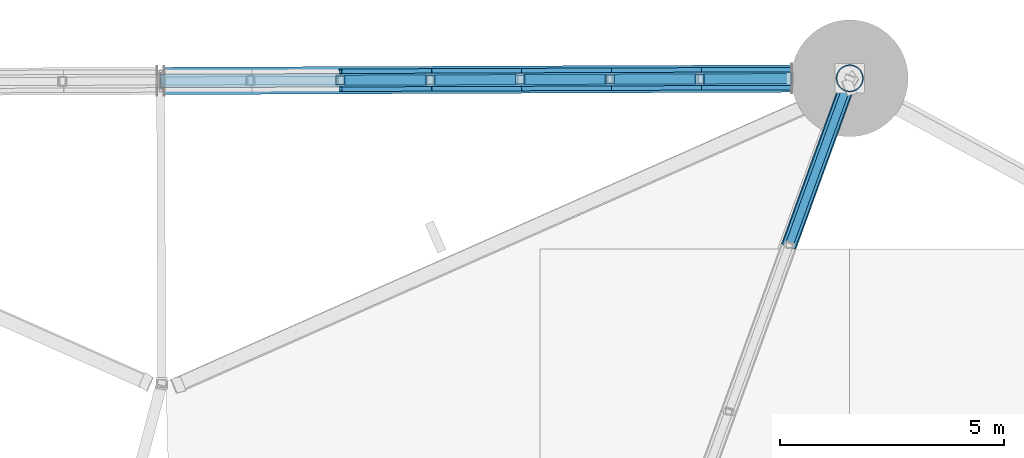
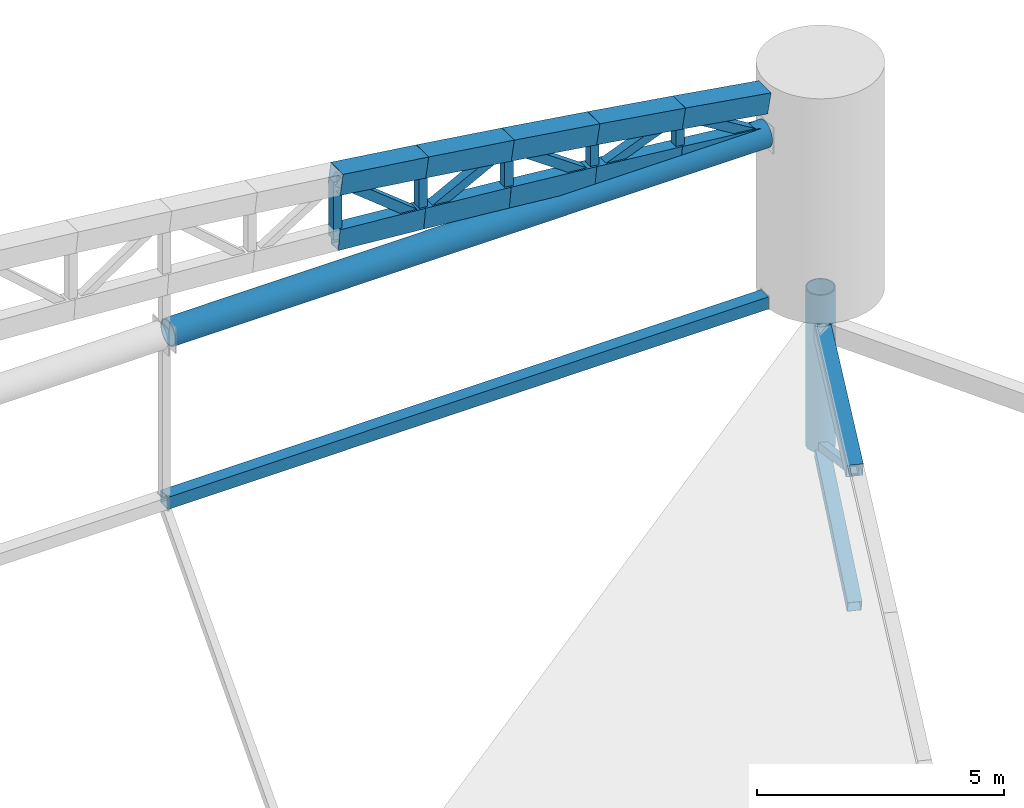
# One storey, part 110 of 188: 26 members.
"""IFC4 building model written with IfcOpenShell, lengths in metres."""

from ifc_helpers import new_model, si_unit, direction, frame, origin, origin_2d, place, context, subcontext, project, spatial, hollow_rectangle, hollow_circle, extrude, material, material_profile, profile_set, type_object, element, save


model = new_model("IFC4")

# Units and contexts
model_context = context("Model", 3, precision=1e-05, world=origin(), true_north=direction((0.0, 1.0)))
body_context = subcontext(model_context, "Body", "Model", "MODEL_VIEW")
ifc_project = project(units=[si_unit("LENGTHUNIT", "METRE"), si_unit("AREAUNIT", "SQUARE_METRE"), si_unit("VOLUMEUNIT", "CUBIC_METRE"), si_unit("PLANEANGLEUNIT", "RADIAN"), si_unit("MASSUNIT", "GRAM", prefix="KILO")], contexts=[model_context])

# Site, building, storey
site_placement = place(None, origin())
site = spatial("IfcSite", under=ifc_project, at=site_placement, CompositionType="ELEMENT")
building_placement = place(site_placement, origin())
building = spatial("IfcBuilding", under=site, at=building_placement, Name="Meseta Stadium", CompositionType="ELEMENT")
storey_placement = place(building_placement, frame((0.0, 0.0, 30.0)))
storey = spatial("IfcBuildingStorey", under=building, at=storey_placement, Name="ROOF", CompositionType="ELEMENT", Elevation=30.0)

# Members
ifc_material_1 = material(Name="Steel S355", Category="steel")
ifc_material_profile_1 = material_profile(ifc_material_1, hollow_circle(Radius=0.304931640625, WallThickness=0.02490234375, at=origin_2d()), Name="CHS 610x25")
ifc_profile_set_1 = profile_set([ifc_material_profile_1], Name="Steel S355")
member_type_1 = type_object("IfcMemberType", Name="CHS 610x25 arch tie", PredefinedType="STRUT", material=ifc_profile_set_1)
member_1_placement = place(storey_placement, frame((37.033447265625, 105.39501953125, 15.550048828125), z_axis=(-0.999992608544, -0.003844848283, 0.0), x_axis=(0.003844848283, -0.999992608544, 0.0)))
element("IfcMember", 1, at=member_1_placement, inside=storey, type_object=member_type_1, Name="GABLE ARCH GA-N tie 01", PredefinedType="STRUT", context=body_context, shape_type="SweptSolid", body=[
    extrude(hollow_circle(Radius=0.304931640625, WallThickness=0.02490234375, at=origin_2d()), origin(), (0.0, 0.0, 1.0), 13.969482421875),
])
ifc_material_2 = material(Name="Steel S355", Category="steel")
ifc_material_profile_2 = material_profile(ifc_material_2, hollow_circle(Radius=0.304931640625, WallThickness=0.02490234375, at=origin_2d()), Name="CHS 610x25")
ifc_profile_set_2 = profile_set([ifc_material_profile_2], Name="Steel S355")
member_type_2 = type_object("IfcMemberType", Name="CHS 610x25 pylon post", PredefinedType="POST", material=ifc_profile_set_2)
member_2_placement = place(storey_placement, frame((38.333251953125, 105.39990234375, 7.412841796875), z_axis=(0.0, 0.0, 1.0), x_axis=(1.0, 0.0, 0.0)))
element("IfcMember", 2, at=member_2_placement, inside=storey, type_object=member_type_2, Name="GABLE ARCH GA-N pylon post", PredefinedType="POST", context=body_context, shape_type="SweptSolid", body=[
    extrude(hollow_circle(Radius=0.304931640625, WallThickness=0.02490234375, at=origin_2d()), origin(), (0.0, 0.0, 1.0), 3.88720703125),
])
ifc_material_3 = material(Name="Steel S355", Category="steel")
ifc_material_profile_3 = material_profile(ifc_material_3, hollow_rectangle(XDim=0.300048828125, YDim=0.5, WallThickness=0.01611328125, at=origin_2d()), Name="RHS 500x300x16")
ifc_profile_set_3 = profile_set([ifc_material_profile_3], Name="Steel S355")
member_type_3 = type_object("IfcMemberType", Name="RHS 500x300x16 arch bottom chord", PredefinedType="CHORD", material=ifc_profile_set_3)
member_3_placement = place(storey_placement, frame((36.993408203125, 105.394775390625, 15.550048828125), z_axis=(-0.993884110505, -0.003755534791, 0.110364264343), x_axis=(0.003778617588, -0.999992860999, 0.0)))
element("IfcMember", 3, at=member_3_placement, inside=storey, type_object=member_type_3, Name="GABLE ARCH GA-N bottom chord", PredefinedType="CHORD", context=body_context, shape_type="SweptSolid", body=[
    extrude(hollow_rectangle(XDim=0.300048828125, YDim=0.5, WallThickness=0.01611328125, at=origin_2d()), origin(), (0.0, 0.0, 1.0), 2.01513671875),
])
member_4_placement = place(storey_placement, frame((34.990478515625, 105.38720703125, 15.7724609375), z_axis=(-0.994541727044, -0.003879719038, 0.104267449135), x_axis=(0.003900982143, -0.99999239114, 0.0)))
element("IfcMember", 4, at=member_4_placement, inside=storey, type_object=member_type_3, Name="GABLE ARCH GA-N bottom chord", PredefinedType="CHORD", context=body_context, shape_type="SweptSolid", body=[
    extrude(hollow_rectangle(XDim=0.300048828125, YDim=0.5, WallThickness=0.01611328125, at=origin_2d()), origin(), (0.0, 0.0, 1.0), 2.013671875),
])
member_5_placement = place(storey_placement, frame((32.98779296875, 105.37939453125, 15.982421875), z_axis=(-0.995153102429, -0.00376078827, 0.098265758011), x_axis=(0.00377907822, -0.999992859258, 0.0)))
element("IfcMember", 5, at=member_5_placement, inside=storey, type_object=member_type_3, Name="GABLE ARCH GA-N bottom chord", PredefinedType="CHORD", context=body_context, shape_type="SweptSolid", body=[
    extrude(hollow_rectangle(XDim=0.300048828125, YDim=0.5, WallThickness=0.01611328125, at=origin_2d()), origin(), (0.0, 0.0, 1.0), 2.012451171875),
])
member_6_placement = place(storey_placement, frame((30.985107421875, 105.371826171875, 16.18017578125), z_axis=(-0.995728001319, -0.003884346708, 0.092253234305), x_axis=(0.003900982143, -0.99999239114, 0.0)))
element("IfcMember", 6, at=member_6_placement, inside=storey, type_object=member_type_3, Name="GABLE ARCH GA-N bottom chord", PredefinedType="CHORD", context=body_context, shape_type="SweptSolid", body=[
    extrude(hollow_rectangle(XDim=0.300048828125, YDim=0.5, WallThickness=0.01611328125, at=origin_2d()), origin(), (0.0, 0.0, 1.0), 2.01123046875),
])
member_7_placement = place(storey_placement, frame((28.982421875, 105.364013671875, 16.36572265625), z_axis=(-0.996258086361, -0.003885940854, 0.086340748343), x_axis=(0.003900506652, -0.999992392995, 0.0)))
element("IfcMember", 7, at=member_7_placement, inside=storey, type_object=member_type_3, Name="GABLE ARCH GA-N bottom chord", PredefinedType="CHORD", context=body_context, shape_type="SweptSolid", body=[
    extrude(hollow_rectangle(XDim=0.300048828125, YDim=0.5, WallThickness=0.01611328125, at=origin_2d()), origin(), (0.0, 0.0, 1.0), 2.010498046875),
])
ifc_material_4 = material(Name="Steel S355", Category="steel")
ifc_material_profile_4 = material_profile(ifc_material_4, hollow_rectangle(XDim=0.179931640625, YDim=0.179931640625, WallThickness=0.00634765625, at=origin_2d()), Name="SHS 180x180x6.3")
ifc_profile_set_4 = profile_set([ifc_material_profile_4], Name="Steel S355")
member_type_4 = type_object("IfcMemberType", Name="SHS 180x180x6.3 diagonal", PredefinedType="BRACE", material=ifc_profile_set_4)
member_8_placement = place(storey_placement, frame((36.986083984375, 101.687744140625, 9.484375), z_axis=(0.302096379546, 0.832434840704, -0.464532037052), x_axis=(-0.940013443369, 0.341137400889, 0.0)))
element("IfcMember", 8, at=member_8_placement, inside=storey, type_object=member_type_4, Name="ROOF TRUSS RT-16 diagonal", PredefinedType="BRACE", context=body_context, shape_type="SweptSolid", body=[
    extrude(hollow_rectangle(XDim=0.179931640625, YDim=0.179931640625, WallThickness=0.00634765625, at=origin_2d()), origin(), (0.0, 0.0, 1.0), 4.45947265625),
])
ifc_material_5 = material(Name="Steel S355", Category="steel")
ifc_material_profile_5 = material_profile(ifc_material_5, hollow_rectangle(XDim=0.199951171875, YDim=0.199951171875, WallThickness=0.008056640625, at=origin_2d()), Name="SHS 200x200x8")
ifc_profile_set_5 = profile_set([ifc_material_profile_5], Name="Steel S355")
member_type_5 = type_object("IfcMemberType", Name="SHS 200x200x8 arch vertical", PredefinedType="POST", material=ifc_profile_set_5)
member_9_placement = place(storey_placement, frame((34.990478515625, 105.38720703125, 15.7724609375), z_axis=(0.0, 0.0, 1.0), x_axis=(1.0, 0.0, 0.0)))
element("IfcMember", 9, at=member_9_placement, inside=storey, type_object=member_type_5, Name="GABLE ARCH GA-N vertical", PredefinedType="POST", context=body_context, shape_type="SweptSolid", body=[
    extrude(hollow_rectangle(XDim=0.199951171875, YDim=0.199951171875, WallThickness=0.008056640625, at=origin_2d()), origin(), (0.0, 0.0, 1.0), 1.00732421875),
])
member_10_placement = place(storey_placement, frame((32.98779296875, 105.37939453125, 15.982421875), z_axis=(0.0, 0.0, 1.0), x_axis=(1.0, 0.0, 0.0)))
element("IfcMember", 10, at=member_10_placement, inside=storey, type_object=member_type_5, Name="GABLE ARCH GA-N vertical", PredefinedType="POST", context=body_context, shape_type="SweptSolid", body=[
    extrude(hollow_rectangle(XDim=0.199951171875, YDim=0.199951171875, WallThickness=0.008056640625, at=origin_2d()), origin(), (0.0, 0.0, 1.0), 1.1142578125),
])
member_11_placement = place(storey_placement, frame((30.985107421875, 105.371826171875, 16.18017578125), z_axis=(0.0, 0.0, 1.0), x_axis=(1.0, 0.0, 0.0)))
element("IfcMember", 11, at=member_11_placement, inside=storey, type_object=member_type_5, Name="GABLE ARCH GA-N vertical", PredefinedType="POST", context=body_context, shape_type="SweptSolid", body=[
    extrude(hollow_rectangle(XDim=0.199951171875, YDim=0.199951171875, WallThickness=0.008056640625, at=origin_2d()), origin(), (0.0, 0.0, 1.0), 1.2197265625),
])
member_12_placement = place(storey_placement, frame((28.982421875, 105.364013671875, 16.36572265625), z_axis=(0.0, 0.0, 1.0), x_axis=(1.0, 0.0, 0.0)))
element("IfcMember", 12, at=member_12_placement, inside=storey, type_object=member_type_5, Name="GABLE ARCH GA-N vertical", PredefinedType="POST", context=body_context, shape_type="SweptSolid", body=[
    extrude(hollow_rectangle(XDim=0.199951171875, YDim=0.199951171875, WallThickness=0.008056640625, at=origin_2d()), origin(), (0.0, 0.0, 1.0), 1.32373046875),
])
member_13_placement = place(storey_placement, frame((26.9794921875, 105.356201171875, 16.539306640625), z_axis=(0.0, 0.0, 1.0), x_axis=(1.0, 0.0, 0.0)))
element("IfcMember", 13, at=member_13_placement, inside=storey, type_object=member_type_5, Name="GABLE ARCH GA-N vertical", PredefinedType="POST", context=body_context, shape_type="SweptSolid", body=[
    extrude(hollow_rectangle(XDim=0.199951171875, YDim=0.199951171875, WallThickness=0.008056640625, at=origin_2d()), origin(), (0.0, 0.0, 1.0), 1.42578125),
])
ifc_material_6 = material(Name="Steel S355", Category="steel")
ifc_material_profile_6 = material_profile(ifc_material_6, hollow_rectangle(XDim=0.219970703125, YDim=0.219970703125, WallThickness=0.008056640625, at=origin_2d()), Name="SHS 220x220x8")
ifc_profile_set_6 = profile_set([ifc_material_profile_6], Name="Steel S355")
member_type_6 = type_object("IfcMemberType", Name="SHS 220x220x8 arch diagonal", PredefinedType="BRACE", material=ifc_profile_set_6)
member_14_placement = place(storey_placement, frame((36.993408203125, 105.394775390625, 15.550048828125), z_axis=(-0.852191997544, -0.003220130659, 0.523219294445), x_axis=(0.003778617588, -0.999992860999, 0.0)))
element("IfcMember", 14, at=member_14_placement, inside=storey, type_object=member_type_6, Name="GABLE ARCH GA-N diagonal", PredefinedType="BRACE", context=body_context, shape_type="SweptSolid", body=[
    extrude(hollow_rectangle(XDim=0.219970703125, YDim=0.219970703125, WallThickness=0.008056640625, at=origin_2d()), origin(), (0.0, 0.0, 1.0), 2.350341796875),
])
member_15_placement = place(storey_placement, frame((34.990478515625, 105.38720703125, 16.77978515625), z_axis=(-0.929063039831, -0.003624285904, -0.369903680128), x_axis=(0.003900982143, -0.99999239114, 0.0)))
element("IfcMember", 15, at=member_15_placement, inside=storey, type_object=member_type_6, Name="GABLE ARCH GA-N diagonal", PredefinedType="BRACE", context=body_context, shape_type="SweptSolid", body=[
    extrude(hollow_rectangle(XDim=0.219970703125, YDim=0.219970703125, WallThickness=0.008056640625, at=origin_2d()), origin(), (0.0, 0.0, 1.0), 2.155517578125),
])
member_16_placement = place(storey_placement, frame((32.98779296875, 105.37939453125, 15.982421875), z_axis=(-0.816229791033, -0.003084618252, 0.577719147475), x_axis=(0.00377907822, -0.999992859258, 0.0)))
element("IfcMember", 16, at=member_16_placement, inside=storey, type_object=member_type_6, Name="GABLE ARCH GA-N diagonal", PredefinedType="BRACE", context=body_context, shape_type="SweptSolid", body=[
    extrude(hollow_rectangle(XDim=0.219970703125, YDim=0.219970703125, WallThickness=0.008056640625, at=origin_2d()), origin(), (0.0, 0.0, 1.0), 2.45361328125),
])
member_17_placement = place(storey_placement, frame((30.985107421875, 105.371826171875, 17.39990234375), z_axis=(-0.888518464356, -0.003466121036, -0.458827772158), x_axis=(0.003900982143, -0.99999239114, 0.0)))
element("IfcMember", 17, at=member_17_placement, inside=storey, type_object=member_type_6, Name="GABLE ARCH GA-N diagonal", PredefinedType="BRACE", context=body_context, shape_type="SweptSolid", body=[
    extrude(hollow_rectangle(XDim=0.219970703125, YDim=0.219970703125, WallThickness=0.008056640625, at=origin_2d()), origin(), (0.0, 0.0, 1.0), 2.25390625),
])
member_18_placement = place(storey_placement, frame((28.982421875, 105.364013671875, 16.36572265625), z_axis=(-0.781431714869, -0.003048002788, 0.623983320832), x_axis=(0.003900506652, -0.999992392995, 0.0)))
element("IfcMember", 18, at=member_18_placement, inside=storey, type_object=member_type_6, Name="GABLE ARCH GA-N diagonal", PredefinedType="BRACE", context=body_context, shape_type="SweptSolid", body=[
    extrude(hollow_rectangle(XDim=0.219970703125, YDim=0.219970703125, WallThickness=0.008056640625, at=origin_2d()), origin(), (0.0, 0.0, 1.0), 2.563232421875),
])
ifc_material_7 = material(Name="Steel S355", Category="steel")
ifc_material_profile_7 = material_profile(ifc_material_7, hollow_rectangle(XDim=0.300048828125, YDim=0.300048828125, WallThickness=0.010009765625, at=origin_2d()), Name="SHS 300x300x10")
ifc_profile_set_7 = profile_set([ifc_material_profile_7], Name="Steel S355")
member_type_7 = type_object("IfcMemberType", Name="SHS 300x300x10 arch sill", PredefinedType="STRUT", material=ifc_profile_set_7)
member_19_placement = place(storey_placement, frame((37.033447265625, 105.39501953125, 11.449951171875), z_axis=(-0.999992569429, -0.003855008082, 0.0), x_axis=(0.003855008082, -0.999992569429, 0.0)))
element("IfcMember", 19, at=member_19_placement, inside=storey, type_object=member_type_7, Name="GABLE ARCH GA-N sill beam 01", PredefinedType="STRUT", context=body_context, shape_type="SweptSolid", body=[
    extrude(hollow_rectangle(XDim=0.300048828125, YDim=0.300048828125, WallThickness=0.010009765625, at=origin_2d()), origin(), (0.0, 0.0, 1.0), 14.059326171875),
])
ifc_material_8 = material(Name="Steel S355", Category="steel")
ifc_material_profile_8 = material_profile(ifc_material_8, hollow_rectangle(XDim=0.300048828125, YDim=0.300048828125, WallThickness=0.010009765625, at=origin_2d()), Name="SHS 300x300x10")
ifc_profile_set_8 = profile_set([ifc_material_profile_8], Name="Steel S355")
member_type_8 = type_object("IfcMemberType", Name="SHS 300x300x10 bottom chord", PredefinedType="CHORD", material=ifc_profile_set_8)
member_20_placement = place(storey_placement, frame((36.986083984375, 101.687744140625, 6.127197265625), z_axis=(0.324396470849, 0.893839310993, 0.30954517574), x_axis=(-0.940008053196, 0.341152253292, 0.0)))
element("IfcMember", 20, at=member_20_placement, inside=storey, type_object=member_type_8, Name="ROOF TRUSS RT-16 bottom chord", PredefinedType="CHORD", context=body_context, shape_type="SweptSolid", body=[
    extrude(hollow_rectangle(XDim=0.300048828125, YDim=0.300048828125, WallThickness=0.010009765625, at=origin_2d()), origin(), (0.0, 0.0, 1.0), 3.978271484375),
])
ifc_material_9 = material(Name="Steel S355", Category="steel")
ifc_material_profile_9 = material_profile(ifc_material_9, hollow_rectangle(XDim=0.35009765625, YDim=0.35009765625, WallThickness=0.010009765625, at=origin_2d()), Name="SHS 350x350x10")
ifc_profile_set_9 = profile_set([ifc_material_profile_9], Name="Steel S355")
member_type_9 = type_object("IfcMemberType", Name="SHS 350x350x10 top chord", PredefinedType="CHORD", material=ifc_profile_set_9)
member_21_placement = place(storey_placement, frame((36.986083984375, 101.687744140625, 9.484375), z_axis=(0.332090680226, 0.915073353524, 0.228815510353), x_axis=(-0.940012056206, 0.34114122323, 0.0)))
element("IfcMember", 21, at=member_21_placement, inside=storey, type_object=member_type_9, Name="ROOF TRUSS RT-16 top chord", PredefinedType="CHORD", context=body_context, shape_type="SweptSolid", body=[
    extrude(hollow_rectangle(XDim=0.35009765625, YDim=0.35009765625, WallThickness=0.010009765625, at=origin_2d()), origin(), (0.0, 0.0, 1.0), 3.881591796875),
])
ifc_material_10 = material(Name="Steel S355", Category="steel")
ifc_material_profile_10 = material_profile(ifc_material_10, hollow_rectangle(XDim=0.5, YDim=0.5, WallThickness=0.01611328125, at=origin_2d()), Name="SHS 500x500x16")
ifc_profile_set_10 = profile_set([ifc_material_profile_10], Name="Steel S355")
member_type_10 = type_object("IfcMemberType", Name="SHS 500x500x16 arch top chord", PredefinedType="CHORD", material=ifc_profile_set_10)
member_22_placement = place(storey_placement, frame((36.993408203125, 105.394775390625, 16.449951171875), z_axis=(-0.986703771852, -0.003728402843, 0.162486201337), x_axis=(0.003778617588, -0.999992860999, 0.0)))
element("IfcMember", 22, at=member_22_placement, inside=storey, type_object=member_type_10, Name="GABLE ARCH GA-N top chord", PredefinedType="CHORD", context=body_context, shape_type="SweptSolid", body=[
    extrude(hollow_rectangle(XDim=0.5, YDim=0.5, WallThickness=0.01611328125, at=origin_2d()), origin(), (0.0, 0.0, 1.0), 2.030029296875),
])
member_23_placement = place(storey_placement, frame((34.990478515625, 105.38720703125, 16.77978515625), z_axis=(-0.98770383606, -0.003853044344, 0.156289111204), x_axis=(0.003900982143, -0.99999239114, 0.0)))
element("IfcMember", 23, at=member_23_placement, inside=storey, type_object=member_type_10, Name="GABLE ARCH GA-N top chord", PredefinedType="CHORD", context=body_context, shape_type="SweptSolid", body=[
    extrude(hollow_rectangle(XDim=0.5, YDim=0.5, WallThickness=0.01611328125, at=origin_2d()), origin(), (0.0, 0.0, 1.0), 2.027587890625),
])
member_24_placement = place(storey_placement, frame((32.98779296875, 105.37939453125, 17.0966796875), z_axis=(-0.988724285502, -0.003736493094, 0.149700787833), x_axis=(0.00377907822, -0.999992859258, 0.0)))
element("IfcMember", 24, at=member_24_placement, inside=storey, type_object=member_type_10, Name="GABLE ARCH GA-N top chord", PredefinedType="CHORD", context=body_context, shape_type="SweptSolid", body=[
    extrude(hollow_rectangle(XDim=0.5, YDim=0.5, WallThickness=0.01611328125, at=origin_2d()), origin(), (0.0, 0.0, 1.0), 2.025634765625),
])
member_25_placement = place(storey_placement, frame((30.985107421875, 105.371826171875, 17.39990234375), z_axis=(-0.989701813747, -0.003860838479, 0.143092326113), x_axis=(0.003900982143, -0.99999239114, 0.0)))
element("IfcMember", 25, at=member_25_placement, inside=storey, type_object=member_type_10, Name="GABLE ARCH GA-N top chord", PredefinedType="CHORD", context=body_context, shape_type="SweptSolid", body=[
    extrude(hollow_rectangle(XDim=0.5, YDim=0.5, WallThickness=0.01611328125, at=origin_2d()), origin(), (0.0, 0.0, 1.0), 2.0234375),
])
member_26_placement = place(storey_placement, frame((28.982421875, 105.364013671875, 17.689453125), z_axis=(-0.990655956761, -0.003864089544, 0.136329909213), x_axis=(0.003900506652, -0.999992392995, 0.0)))
element("IfcMember", 26, at=member_26_placement, inside=storey, type_object=member_type_10, Name="GABLE ARCH GA-N top chord", PredefinedType="CHORD", context=body_context, shape_type="SweptSolid", body=[
    extrude(hollow_rectangle(XDim=0.5, YDim=0.5, WallThickness=0.01611328125, at=origin_2d()), origin(), (0.0, 0.0, 1.0), 2.021728515625),
])

save(model, "model.ifc")
